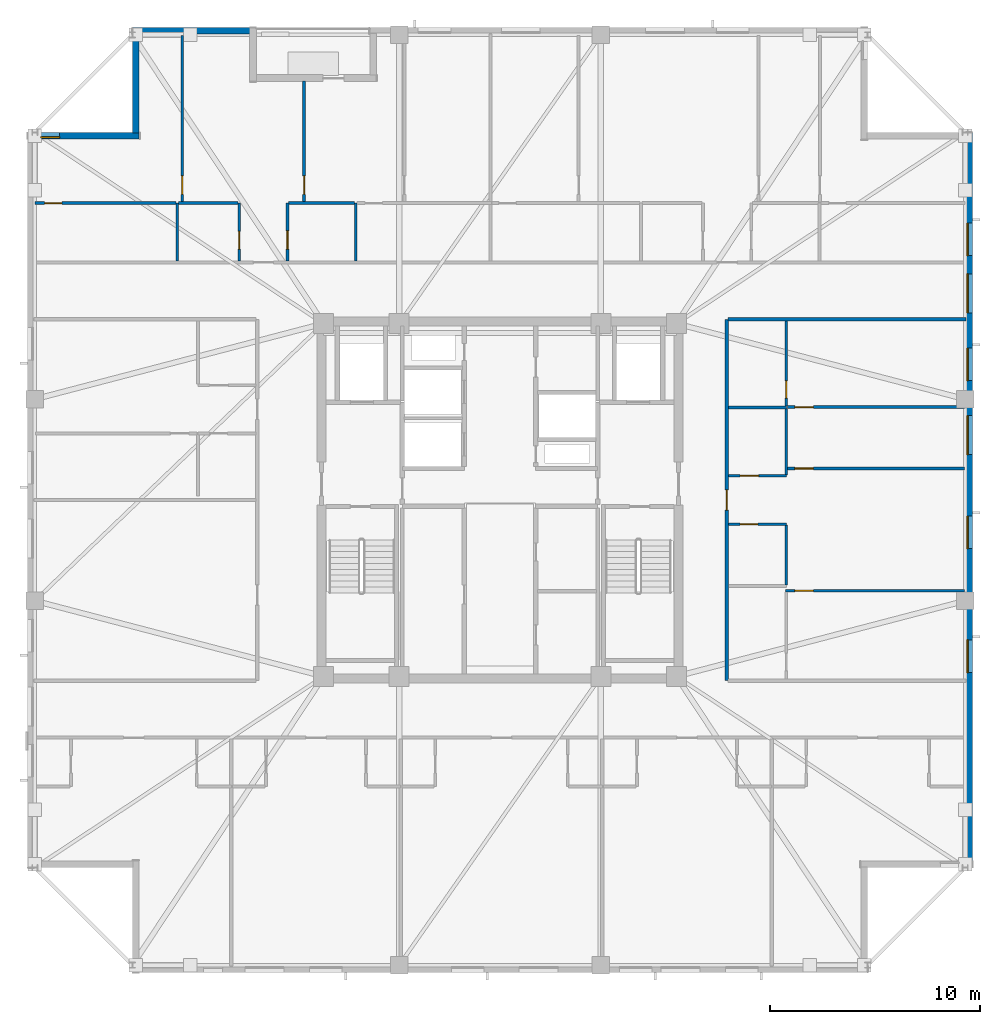
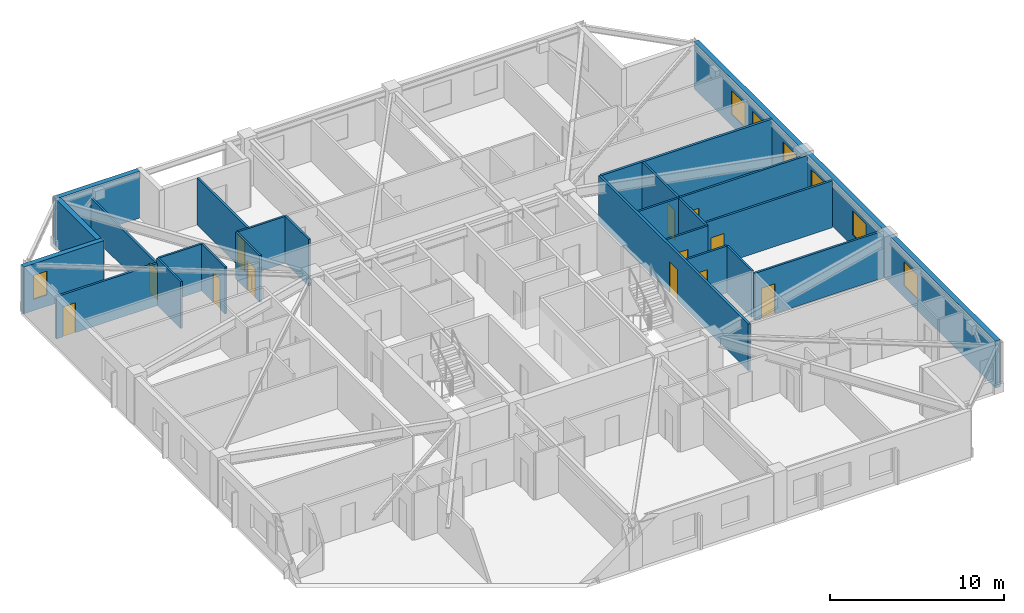
# One storey, part 10 of 17: 24 walls, 12 doors, 7 windows, 19 openings.
"""IFC4 building model written with IfcOpenShell, lengths in metres."""

import ifcopenshell
import ifcopenshell.guid

model = None  # the IFC model being written
_history = None  # IfcOwnerHistory: only IFC2X3 demands one
_inside = {}  # id of a spatial element -> (the spatial element, [elements in it])
_under = {}  # id of a project, library or spatial element -> (it, [spatial elements below it])
_declared = {}  # id of a project -> (the project, [libraries it declares])
_typed = {}  # id of a type object -> (the type object, [elements of that type])
_made_of = {}  # id of a material, layer set ... -> (it, [elements and type objects made of it])


def new_model(schema):
    """Start an empty IFC model of exactly this schema.

    Asked for "IFC4X3", IfcOpenShell would pick the latest addendum, in which some entities
    have other attributes; the version numbers below select the first issue.
    IFC2X3 requires an IfcOwnerHistory on every rooted entity: one is made here for all.
    """
    global model, _history
    if schema == "IFC4X3":
        model = ifcopenshell.file(schema_version=(4, 3, 0, 0))
    else:
        model = ifcopenshell.file(schema=schema)
    _inside.clear()
    _under.clear()
    _declared.clear()
    _typed.clear()
    _made_of.clear()
    _history = None
    if model.schema == "IFC2X3":
        org = make("IfcOrganization", Name="unknown")
        user = make(
            "IfcPersonAndOrganization",
            ThePerson=make("IfcPerson", FamilyName="unknown"),
            TheOrganization=org,
        )
        app = make(
            "IfcApplication",
            ApplicationDeveloper=org,
            Version="unknown",
            ApplicationFullName="unknown",
            ApplicationIdentifier="unknown",
        )
        _history = make(
            "IfcOwnerHistory",
            OwningUser=user,
            OwningApplication=app,
            ChangeAction="ADDED",
            CreationDate=0,
        )
    return model


def make(cls, **values):
    """One entity of the class cls with the attributes given. An attribute that is None is left unset."""
    return model.create_entity(
        cls, **{name: value for name, value in values.items() if value is not None}
    )


def rooted(cls, **values):
    """An entity with a GlobalId (a new one), such as an element, a storey or a relation."""
    return make(cls, GlobalId=ifcopenshell.guid.new(), OwnerHistory=_history, **values)


def si_unit(unit_type, name, prefix=None):
    """IfcSIUnit, for example si_unit("LENGTHUNIT", "METRE", prefix="MILLI")."""
    return make("IfcSIUnit", UnitType=unit_type, Prefix=prefix, Name=name)


def assignment(units):
    """IfcUnitAssignment: the units of a project."""
    return None if units is None else make("IfcUnitAssignment", Units=units)


def point(xyz):
    """IfcCartesianPoint."""
    return None if xyz is None else make("IfcCartesianPoint", Coordinates=xyz)


def direction(xyz):
    """IfcDirection."""
    return None if xyz is None else make("IfcDirection", DirectionRatios=xyz)


def frame(location, z_axis=None, x_axis=None):
    """IfcAxis2Placement3D, a coordinate frame: its origin and axes. An axis left out is left unset."""
    return make(
        "IfcAxis2Placement3D",
        Location=point(location),
        Axis=direction(z_axis),
        RefDirection=direction(x_axis),
    )


def frame_2d(location, x_axis=None):
    """IfcAxis2Placement2D, a coordinate frame in the plane: its origin and x axis."""
    return make(
        "IfcAxis2Placement2D", Location=point(location), RefDirection=direction(x_axis)
    )


def origin():
    """The frame at (0, 0, 0) with its axes left unset."""
    return frame((0.0, 0.0, 0.0))


def place(relative_to, where):
    """IfcLocalPlacement: puts the frame where relative to a parent placement (None: the world)."""
    return make(
        "IfcLocalPlacement", PlacementRelTo=relative_to, RelativePlacement=where
    )


def context(
    kind, dimensions, precision=None, world=None, true_north=None, identifier=None
):
    """IfcGeometricRepresentationContext, for example the 3D "Model" context."""
    return make(
        "IfcGeometricRepresentationContext",
        ContextIdentifier=identifier,
        ContextType=kind,
        CoordinateSpaceDimension=dimensions,
        Precision=precision,
        WorldCoordinateSystem=world,
        TrueNorth=true_north,
    )


def subcontext(parent, identifier, kind, view, scale=None):
    """IfcGeometricRepresentationSubContext, for example "Body" below "Model"."""
    return make(
        "IfcGeometricRepresentationSubContext",
        ContextIdentifier=identifier,
        ContextType=kind,
        ParentContext=parent,
        TargetScale=scale,
        TargetView=view,
    )


def project(units=None, contexts=None):
    """IfcProject with its units and contexts."""
    return rooted(
        "IfcProject",
        Name="project",
        RepresentationContexts=contexts,
        UnitsInContext=assignment(units),
    )


def spatial(cls, under=None, at=None, **own):
    """A site, building, storey or space (cls), placed at a placement, below another one or the project."""
    s = rooted(cls, ObjectPlacement=at, **own)
    if under is not None:
        _under.setdefault(under.id(), (under, []))[1].append(s)
    return s


def profile(cls, at=None, kind="AREA", **sizes):
    """A parametric profile (cls). Its sizes go by their IFC names, for example OverallWidth=200.0."""
    return make(cls, ProfileType=kind, Position=at, **sizes)


def rectangle(**sizes):
    """IfcRectangleProfileDef."""
    return profile("IfcRectangleProfileDef", **sizes)


def extrude(swept, where, along, depth):
    """IfcExtrudedAreaSolid: the profile swept, set in the frame where, extruded along a direction by depth."""
    return make(
        "IfcExtrudedAreaSolid",
        SweptArea=swept,
        Position=where,
        ExtrudedDirection=direction(along),
        Depth=depth,
    )


def shape(context_of_items, identifier, shape_type, items):
    """IfcShapeRepresentation: the items that make up one representation, for example the "Body"."""
    return make(
        "IfcShapeRepresentation",
        ContextOfItems=context_of_items,
        RepresentationIdentifier=identifier,
        RepresentationType=shape_type,
        Items=items,
    )


def material(Name=None, Category=None):
    """IfcMaterial."""
    return make("IfcMaterial", Name=Name, Category=Category)


def layer(
    of_material, thickness, ventilated=None, Name=None, Category=None, Priority=None
):
    """IfcMaterialLayer: one layer of a wall or slab, of a material (None: an air gap)."""
    return make(
        "IfcMaterialLayer",
        Material=of_material,
        LayerThickness=thickness,
        IsVentilated=ventilated,
        Name=Name,
        Category=Category,
        Priority=Priority,
    )


def layer_set(layers, Name=None):
    """IfcMaterialLayerSet."""
    return make("IfcMaterialLayerSet", MaterialLayers=layers, LayerSetName=Name)


def made_of(thing, what):
    """Note that an element or type object is made of a material, layer set ...; save() writes the relation."""
    if what is not None:
        _made_of.setdefault(what.id(), (what, []))[1].append(thing)
    return thing


def type_object(cls, material=None, **own):
    """A type object (cls), such as IfcWallType, which elements share."""
    return made_of(rooted(cls, **own), material)


def element(
    cls,
    number,
    at=None,
    inside=None,
    cuts=None,
    type_object=None,
    material=None,
    context=None,
    identifier="Body",
    shape_type=None,
    held_by="IfcProductDefinitionShape",
    body=None,
    shapes=None,
    **own,
):
    """One element of the class cls, such as IfcWall. Its Tag is "e" and its number.

    at: its placement. inside: the storey or other place that contains it. cuts: it is an
    opening in that element (IfcRelVoidsElement). A single representation is given by context,
    identifier, shape_type and body (its items); several are given by shapes. held_by: the class
    of the entity that holds the representations. save() writes the other relations.
    """
    e = rooted(cls, Tag="e%d" % number, ObjectPlacement=at, **own)
    if body is not None:
        shapes = [shape(context, identifier, shape_type, body)]
    if shapes is not None:
        e.Representation = make(held_by, Representations=shapes)
    if inside is not None:
        _inside.setdefault(inside.id(), (inside, []))[1].append(e)
    if cuts is not None:
        rooted(
            "IfcRelVoidsElement", RelatingBuildingElement=cuts, RelatedOpeningElement=e
        )
    if type_object is not None:
        _typed.setdefault(type_object.id(), (type_object, []))[1].append(e)
    return made_of(e, material)


def fill(opening, filler):
    """IfcRelFillsElement: the door or window that sits in an opening."""
    return rooted(
        "IfcRelFillsElement",
        RelatingOpeningElement=opening,
        RelatedBuildingElement=filler,
    )


def aggregate(whole, parts):
    """IfcRelAggregates: a whole, such as a stair, and the parts it consists of."""
    return rooted("IfcRelAggregates", RelatingObject=whole, RelatedObjects=parts)


def save(model, path):
    """Write the relations noted so far, then the file.

    IfcRelAggregates (storeys below a building ...), IfcRelContainedInSpatialStructure (elements
    in a storey), IfcRelDefinesByType, IfcRelAssociatesMaterial and IfcRelDeclares: one each for
    every whole, place, type object, material and project.
    """
    for whole, parts in _under.values():
        aggregate(whole, parts)
    for where, things in _inside.values():
        rooted(
            "IfcRelContainedInSpatialStructure",
            RelatedElements=things,
            RelatingStructure=where,
        )
    for kind, things in _typed.values():
        rooted("IfcRelDefinesByType", RelatedObjects=things, RelatingType=kind)
    for what, things in _made_of.values():
        rooted("IfcRelAssociatesMaterial", RelatedObjects=things, RelatingMaterial=what)
    for by, libraries in _declared.values():
        rooted("IfcRelDeclares", RelatingContext=by, RelatedDefinitions=libraries)
    model.write(path)


model = new_model("IFC4")

# Units and contexts
model_context = context("Model", 3, precision=1e-05, world=origin(), true_north=direction((0.0, 1.0)))
body_context = subcontext(model_context, "Body", "Model", "MODEL_VIEW")
ifc_project = project(units=[si_unit("LENGTHUNIT", "METRE"), si_unit("AREAUNIT", "SQUARE_METRE"), si_unit("VOLUMEUNIT", "CUBIC_METRE"), si_unit("PLANEANGLEUNIT", "RADIAN"), si_unit("MASSUNIT", "GRAM", prefix="KILO")], contexts=[model_context])

# Site, building, storey
site_placement = place(None, origin())
site = spatial("IfcSite", under=ifc_project, at=site_placement, CompositionType="ELEMENT")
building_placement = place(site_placement, origin())
building = spatial("IfcBuilding", under=site, at=building_placement, Name="Cairnveth Concourse Tower", CompositionType="ELEMENT")
storey_placement = place(building_placement, frame((0.0, 0.0, 220.0)))
storey = spatial("IfcBuildingStorey", under=building, at=storey_placement, Name="L60", CompositionType="ELEMENT", Elevation=220.0)

# Wall, opening, door
ifc_material_1 = material(Name="Gypsum Plasterboard Partition", Category="gypsum")
ifc_layer_1 = layer(ifc_material_1, 0.159912109375)
ifc_layer_set_1 = layer_set([ifc_layer_1], Name="Gypsum Plasterboard Partition")
wall_type_1 = type_object("IfcWallType", Name="ACOUSTIC PARTY WALL 180", PredefinedType="PARTITIONING", material=ifc_layer_set_1)
wall_1_placement = place(storey_placement, frame((62.800048828125, 30.39990234375, 0.0), z_axis=(0.0, 0.0, 1.0), x_axis=(0.0, 1.0, 0.0)))
wall_1 = element("IfcWall", 1, at=wall_1_placement, inside=storey, type_object=wall_type_1, Name="Interior Wall IW-L60-037", PredefinedType="PARTITIONING", context=body_context, shape_type="SweptSolid", body=[
    extrude(rectangle(XDim=17.2001953125, YDim=0.159912109375, at=frame_2d((8.60009765625, 0.0))), origin(), (0.0, 0.0, 1.0), 3.2900390625),
])
opening_1_placement = place(wall_1_placement, frame((8.1201171875, 0.0, 0.0)))
opening_1 = element("IfcOpeningElement", 2, at=opening_1_placement, cuts=wall_1, Name="Opening ID10", PredefinedType="OPENING", context=body_context, shape_type="SweptSolid", body=[
    extrude(rectangle(XDim=0.9599609375, YDim=2.179931640625, at=frame_2d((0.47998046875, 1.08984375))), frame((0.0, 0.08984375, 0.0), z_axis=(0.0, -1.0, 0.0), x_axis=(1.0, 0.0, 0.0)), (0.0, 0.0, 1.0), 0.179931640625),
])
ifc_material_2 = material(Name="Solid Core Hardwood Timber Leaf", Category="wood")
door_type_1 = type_object("IfcDoorType", Name="FLAT ENTRANCE DOOR 960X2150", OperationType="NOTDEFINED", PredefinedType="DOOR", material=ifc_material_2)
door_1_placement = place(opening_1_placement, origin())
door_1 = element("IfcDoor", 3, at=door_1_placement, inside=storey, type_object=door_type_1, Name="Apartment L60E1 Entrance Door", OperationType="SINGLE_SWING_RIGHT", OverallHeight=2.179931640625, OverallWidth=0.9599609375, PredefinedType="DOOR", context=body_context, shape_type="SweptSolid", body=[
    extrude(rectangle(XDim=0.9599609375, YDim=2.179931640625, at=frame_2d((0.47998046875, 1.08984375))), frame((0.0, 0.02490234375, 0.0), z_axis=(0.0, -1.0, 0.0), x_axis=(1.0, 0.0, 0.0)), (0.0, 0.0, 1.0), 0.050048828125),
])
fill(opening_1, door_1)

# Wall
wall_2_placement = place(storey_placement, frame((62.864990234375, 47.60009765625, 0.0), z_axis=(0.0, 0.0, 1.0), x_axis=(1.0, 0.0, 0.0)))
element("IfcWall", 4, at=wall_2_placement, inside=storey, type_object=wall_type_1, Name="Interior Wall IW-L60-041", PredefinedType="PARTITIONING", context=body_context, shape_type="SweptSolid", body=[
    extrude(rectangle(XDim=11.330078125, YDim=0.159912109375, at=frame_2d((5.6650390625, 0.0))), origin(), (0.0, 0.0, 1.0), 3.2900390625),
])

# Wall, opening, door
ifc_layer_2 = layer(ifc_material_1, 0.139892578125)
ifc_layer_set_2 = layer_set([ifc_layer_2], Name="Gypsum Plasterboard Partition")
wall_type_2 = type_object("IfcWallType", Name="GYPSUM STUD PARTITION 140", PredefinedType="PARTITIONING", material=ifc_layer_set_2)
wall_3_placement = place(storey_placement, frame((36.8701171875, 53.18994140625, 0.0), z_axis=(0.0, 0.0, 1.0), x_axis=(0.0, 1.0, 0.0)))
wall_3 = element("IfcWall", 5, at=wall_3_placement, inside=storey, type_object=wall_type_2, Name="Interior Wall IW-L60-072", PredefinedType="PARTITIONING", context=body_context, shape_type="SweptSolid", body=[
    extrude(rectangle(XDim=7.93017578125, YDim=0.139892578125, at=frame_2d((3.965087890625, 0.0))), origin(), (0.0, 0.0, 1.0), 2.572998046875),
])
opening_2_placement = place(wall_3_placement, frame((0.360107421875, 0.0, 0.0)))
opening_2 = element("IfcOpeningElement", 6, at=opening_2_placement, cuts=wall_3, Name="Opening ID18", PredefinedType="OPENING", context=body_context, shape_type="SweptSolid", body=[
    extrude(rectangle(XDim=0.8798828125, YDim=2.10009765625, at=frame_2d((0.43994140625, 1.050048828125))), frame((0.0, 0.079833984375, 0.0), z_axis=(0.0, -1.0, 0.0), x_axis=(1.0, 0.0, 0.0)), (0.0, 0.0, 1.0), 0.159912109375),
])
door_type_2 = type_object("IfcDoorType", Name="INTERIOR SINGLE DOOR 880X2100", OperationType="NOTDEFINED", PredefinedType="DOOR", material=ifc_material_2)
door_2_placement = place(opening_2_placement, origin())
door_2 = element("IfcDoor", 7, at=door_2_placement, inside=storey, type_object=door_type_2, Name="L60N1 Master Bedroom Door", OperationType="SINGLE_SWING_LEFT", OverallHeight=2.10009765625, OverallWidth=0.8798828125, PredefinedType="DOOR", context=body_context, shape_type="SweptSolid", body=[
    extrude(rectangle(XDim=0.8798828125, YDim=2.10009765625, at=frame_2d((0.43994140625, 1.050048828125))), frame((0.0, 0.02490234375, 0.0), z_axis=(0.0, -1.0, 0.0), x_axis=(1.0, 0.0, 0.0)), (0.0, 0.0, 1.0), 0.050048828125),
])
fill(opening_2, door_2)

wall_4_placement = place(storey_placement, frame((29.8701171875, 53.139892578125, 0.0), z_axis=(0.0, 0.0, 1.0), x_axis=(1.0, 0.0, 0.0)))
wall_4 = element("IfcWall", 8, at=wall_4_placement, inside=storey, type_object=wall_type_2, Name="Interior Wall IW-L60-073", PredefinedType="PARTITIONING", context=body_context, shape_type="SweptSolid", body=[
    extrude(rectangle(XDim=6.71240234375, YDim=0.139892578125, at=frame_2d((3.356201171875, 0.0))), origin(), (0.0, 0.0, 1.0), 2.9580078125),
])
opening_3_placement = place(wall_4_placement, frame((0.449951171875, 0.0, 0.0)))
opening_3 = element("IfcOpeningElement", 9, at=opening_3_placement, cuts=wall_4, Name="Opening ID22", PredefinedType="OPENING", context=body_context, shape_type="SweptSolid", body=[
    extrude(rectangle(XDim=0.820068359375, YDim=2.10009765625, at=frame_2d((0.41015625, 1.050048828125))), frame((0.0, 0.079833984375, 0.0), z_axis=(0.0, -1.0, 0.0), x_axis=(1.0, 0.0, 0.0)), (0.0, 0.0, 1.0), 0.159912109375),
])
door_type_3 = type_object("IfcDoorType", Name="INTERIOR WC DOOR 820X2100", OperationType="NOTDEFINED", PredefinedType="DOOR", material=ifc_material_2)
door_3_placement = place(opening_3_placement, origin())
door_3 = element("IfcDoor", 10, at=door_3_placement, inside=storey, type_object=door_type_3, Name="L60N1 Dressing Door", OperationType="SINGLE_SWING_RIGHT", OverallHeight=2.10009765625, OverallWidth=0.820068359375, PredefinedType="DOOR", context=body_context, shape_type="SweptSolid", body=[
    extrude(rectangle(XDim=0.820068359375, YDim=2.10009765625, at=frame_2d((0.41015625, 1.050048828125))), frame((0.0, 0.02490234375, 0.0), z_axis=(0.0, -1.0, 0.0), x_axis=(1.0, 0.0, 0.0)), (0.0, 0.0, 1.0), 0.050048828125),
])
fill(opening_3, door_3)

wall_5_placement = place(storey_placement, frame((42.669921875, 53.18994140625, 0.0), z_axis=(0.0, 0.0, 1.0), x_axis=(0.0, 1.0, 0.0)))
wall_5 = element("IfcWall", 11, at=wall_5_placement, inside=storey, type_object=wall_type_2, Name="Interior Wall IW-L60-076", PredefinedType="PARTITIONING", context=body_context, shape_type="SweptSolid", body=[
    extrude(rectangle(XDim=5.755126953125, YDim=0.139892578125, at=frame_2d((2.87744140625, 0.0))), origin(), (0.0, 0.0, 1.0), 3.2900390625),
])
opening_4_placement = place(wall_5_placement, frame((0.360107421875, 0.0, 0.0)))
opening_4 = element("IfcOpeningElement", 12, at=opening_4_placement, cuts=wall_5, Name="Opening ID18", PredefinedType="OPENING", context=body_context, shape_type="SweptSolid", body=[
    extrude(rectangle(XDim=0.8798828125, YDim=2.10009765625, at=frame_2d((0.43994140625, 1.050048828125))), frame((0.0, 0.079833984375, 0.0), z_axis=(0.0, -1.0, 0.0), x_axis=(1.0, 0.0, 0.0)), (0.0, 0.0, 1.0), 0.159912109375),
])
door_4_placement = place(opening_4_placement, origin())
door_4 = element("IfcDoor", 13, at=door_4_placement, inside=storey, type_object=door_type_2, Name="L60N1 Media Lounge Door", OperationType="SINGLE_SWING_RIGHT", OverallHeight=2.10009765625, OverallWidth=0.8798828125, PredefinedType="DOOR", context=body_context, shape_type="SweptSolid", body=[
    extrude(rectangle(XDim=0.8798828125, YDim=2.10009765625, at=frame_2d((0.43994140625, 1.050048828125))), frame((0.0, 0.02490234375, 0.0), z_axis=(0.0, -1.0, 0.0), x_axis=(1.0, 0.0, 0.0)), (0.0, 0.0, 1.0), 0.050048828125),
])
fill(opening_4, door_4)

wall_6_placement = place(storey_placement, frame((65.590087890625, 34.679931640625, 0.0), z_axis=(0.0, 0.0, 1.0), x_axis=(1.0, 0.0, 0.0)))
wall_6 = element("IfcWall", 14, at=wall_6_placement, inside=storey, type_object=wall_type_2, Name="Interior Wall IW-L60-101", PredefinedType="PARTITIONING", context=body_context, shape_type="SweptSolid", body=[
    extrude(rectangle(XDim=8.530029296875, YDim=0.139892578125, at=frame_2d((4.26513671875, 0.0))), origin(), (0.0, 0.0, 1.0), 3.2900390625),
])
opening_5_placement = place(wall_6_placement, frame((0.449951171875, 0.0, 0.0)))
opening_5 = element("IfcOpeningElement", 15, at=opening_5_placement, cuts=wall_6, Name="Opening ID18", PredefinedType="OPENING", context=body_context, shape_type="SweptSolid", body=[
    extrude(rectangle(XDim=0.8798828125, YDim=2.10009765625, at=frame_2d((0.43994140625, 1.050048828125))), frame((0.0, 0.079833984375, 0.0), z_axis=(0.0, -1.0, 0.0), x_axis=(1.0, 0.0, 0.0)), (0.0, 0.0, 1.0), 0.159912109375),
])
door_5_placement = place(opening_5_placement, origin())
door_5 = element("IfcDoor", 16, at=door_5_placement, inside=storey, type_object=door_type_2, Name="L60E1 Master Bedroom Door", OperationType="SINGLE_SWING_RIGHT", OverallHeight=2.10009765625, OverallWidth=0.8798828125, PredefinedType="DOOR", context=body_context, shape_type="SweptSolid", body=[
    extrude(rectangle(XDim=0.8798828125, YDim=2.10009765625, at=frame_2d((0.43994140625, 1.050048828125))), frame((0.0, 0.02490234375, 0.0), z_axis=(0.0, -1.0, 0.0), x_axis=(1.0, 0.0, 0.0)), (0.0, 0.0, 1.0), 0.050048828125),
])
fill(opening_5, door_5)

wall_7_placement = place(storey_placement, frame((65.679931640625, 43.419921875, 0.0), z_axis=(0.0, 0.0, 1.0), x_axis=(1.0, 0.0, 0.0)))
wall_7 = element("IfcWall", 17, at=wall_7_placement, inside=storey, type_object=wall_type_2, Name="Interior Wall IW-L60-103", PredefinedType="PARTITIONING", context=body_context, shape_type="SweptSolid", body=[
    extrude(rectangle(XDim=8.440185546875, YDim=0.139892578125, at=frame_2d((4.22021484375, 0.0))), origin(), (0.0, 0.0, 1.0), 3.2900390625),
])
opening_6_placement = place(wall_7_placement, frame((0.360107421875, 0.0, 0.0)))
opening_6 = element("IfcOpeningElement", 18, at=opening_6_placement, cuts=wall_7, Name="Opening ID18", PredefinedType="OPENING", context=body_context, shape_type="SweptSolid", body=[
    extrude(rectangle(XDim=0.8798828125, YDim=2.10009765625, at=frame_2d((0.43994140625, 1.050048828125))), frame((0.0, 0.079833984375, 0.0), z_axis=(0.0, -1.0, 0.0), x_axis=(1.0, 0.0, 0.0)), (0.0, 0.0, 1.0), 0.159912109375),
])
door_6_placement = place(opening_6_placement, origin())
door_6 = element("IfcDoor", 19, at=door_6_placement, inside=storey, type_object=door_type_2, Name="L60E1 Bedroom 2 Door", OperationType="SINGLE_SWING_RIGHT", OverallHeight=2.10009765625, OverallWidth=0.8798828125, PredefinedType="DOOR", context=body_context, shape_type="SweptSolid", body=[
    extrude(rectangle(XDim=0.8798828125, YDim=2.10009765625, at=frame_2d((0.43994140625, 1.050048828125))), frame((0.0, 0.02490234375, 0.0), z_axis=(0.0, -1.0, 0.0), x_axis=(1.0, 0.0, 0.0)), (0.0, 0.0, 1.0), 0.050048828125),
])
fill(opening_6, door_6)

wall_8_placement = place(storey_placement, frame((65.6298828125, 43.47509765625, 0.0), z_axis=(0.0, 0.0, 1.0), x_axis=(0.0, 1.0, 0.0)))
wall_8 = element("IfcWall", 20, at=wall_8_placement, inside=storey, type_object=wall_type_2, Name="Interior Wall IW-L60-104", PredefinedType="PARTITIONING", context=body_context, shape_type="SweptSolid", body=[
    extrude(rectangle(XDim=4.059814453125, YDim=0.139892578125, at=frame_2d((2.02978515625, 0.0))), origin(), (0.0, 0.0, 1.0), 3.2900390625),
])
opening_7_placement = place(wall_8_placement, frame((0.375, 0.0, 0.0)))
opening_7 = element("IfcOpeningElement", 21, at=opening_7_placement, cuts=wall_8, Name="Opening ID22", PredefinedType="OPENING", context=body_context, shape_type="SweptSolid", body=[
    extrude(rectangle(XDim=0.820068359375, YDim=2.10009765625, at=frame_2d((0.41015625, 1.050048828125))), frame((0.0, 0.079833984375, 0.0), z_axis=(0.0, -1.0, 0.0), x_axis=(1.0, 0.0, 0.0)), (0.0, 0.0, 1.0), 0.159912109375),
])
door_7_placement = place(opening_7_placement, origin())
door_7 = element("IfcDoor", 22, at=door_7_placement, inside=storey, type_object=door_type_3, Name="L60E1 Utility Door", OperationType="SINGLE_SWING_LEFT", OverallHeight=2.10009765625, OverallWidth=0.820068359375, PredefinedType="DOOR", context=body_context, shape_type="SweptSolid", body=[
    extrude(rectangle(XDim=0.820068359375, YDim=2.10009765625, at=frame_2d((0.41015625, 1.050048828125))), frame((0.0, 0.02490234375, 0.0), z_axis=(0.0, -1.0, 0.0), x_axis=(1.0, 0.0, 0.0)), (0.0, 0.0, 1.0), 0.050048828125),
])
fill(opening_7, door_7)

wall_9_placement = place(storey_placement, frame((65.679931640625, 40.5, 0.0), z_axis=(0.0, 0.0, 1.0), x_axis=(1.0, 0.0, 0.0)))
wall_9 = element("IfcWall", 23, at=wall_9_placement, inside=storey, type_object=wall_type_2, Name="Interior Wall IW-L60-105", PredefinedType="PARTITIONING", context=body_context, shape_type="SweptSolid", body=[
    extrude(rectangle(XDim=8.440185546875, YDim=0.139892578125, at=frame_2d((4.22021484375, 0.0))), origin(), (0.0, 0.0, 1.0), 3.2900390625),
])
opening_8_placement = place(wall_9_placement, frame((0.360107421875, 0.0, 0.0)))
opening_8 = element("IfcOpeningElement", 24, at=opening_8_placement, cuts=wall_9, Name="Opening ID18", PredefinedType="OPENING", context=body_context, shape_type="SweptSolid", body=[
    extrude(rectangle(XDim=0.8798828125, YDim=2.10009765625, at=frame_2d((0.43994140625, 1.050048828125))), frame((0.0, 0.079833984375, 0.0), z_axis=(0.0, -1.0, 0.0), x_axis=(1.0, 0.0, 0.0)), (0.0, 0.0, 1.0), 0.159912109375),
])
door_8_placement = place(opening_8_placement, origin())
door_8 = element("IfcDoor", 25, at=door_8_placement, inside=storey, type_object=door_type_2, Name="L60E1 Media Lounge Door", OperationType="SINGLE_SWING_LEFT", OverallHeight=2.10009765625, OverallWidth=0.8798828125, PredefinedType="DOOR", context=body_context, shape_type="SweptSolid", body=[
    extrude(rectangle(XDim=0.8798828125, YDim=2.10009765625, at=frame_2d((0.43994140625, 1.050048828125))), frame((0.0, 0.02490234375, 0.0), z_axis=(0.0, -1.0, 0.0), x_axis=(1.0, 0.0, 0.0)), (0.0, 0.0, 1.0), 0.050048828125),
])
fill(opening_8, door_8)

# Wall
ifc_layer_3 = layer(ifc_material_1, 0.1298828125)
ifc_layer_set_3 = layer_set([ifc_layer_3], Name="Gypsum Plasterboard Partition")
wall_type_3 = type_object("IfcWallType", Name="WET AREA PARTITION 140", PredefinedType="PLUMBINGWALL", material=ifc_layer_set_3)
wall_10_placement = place(storey_placement, frame((36.632568359375, 50.389892578125, 0.0), z_axis=(0.0, 0.0, 1.0), x_axis=(0.0, 1.0, 0.0)))
element("IfcWall", 26, at=wall_10_placement, inside=storey, type_object=wall_type_3, Name="Interior Wall IW-L60-066", PredefinedType="PLUMBINGWALL", context=body_context, shape_type="SweptSolid", body=[
    extrude(rectangle(XDim=2.75, YDim=0.1298828125, at=frame_2d((1.375, 0.0))), origin(), (0.0, 0.0, 1.0), 3.2900390625),
])

# Wall, opening, door
wall_11_placement = place(storey_placement, frame((39.58251953125, 50.389892578125, 0.0), z_axis=(0.0, 0.0, 1.0), x_axis=(0.0, 1.0, 0.0)))
wall_11 = element("IfcWall", 27, at=wall_11_placement, inside=storey, type_object=wall_type_3, Name="Interior Wall IW-L60-067", PredefinedType="PLUMBINGWALL", context=body_context, shape_type="SweptSolid", body=[
    extrude(rectangle(XDim=2.75, YDim=0.1298828125, at=frame_2d((1.375, 0.0))), origin(), (0.0, 0.0, 1.0), 3.2900390625),
])
opening_9_placement = place(wall_11_placement, frame((0.550048828125, 0.0, 0.0)))
opening_9 = element("IfcOpeningElement", 28, at=opening_9_placement, cuts=wall_11, Name="Opening ID21", PredefinedType="OPENING", context=body_context, shape_type="SweptSolid", body=[
    extrude(rectangle(XDim=0.85009765625, YDim=2.080078125, at=frame_2d((0.425048828125, 1.0400390625))), frame((0.0, 0.074951171875, 0.0), z_axis=(0.0, -1.0, 0.0), x_axis=(1.0, 0.0, 0.0)), (0.0, 0.0, 1.0), 0.14990234375),
])
door_type_4 = type_object("IfcDoorType", Name="INTERIOR WC DOOR 850X2100", OperationType="NOTDEFINED", PredefinedType="DOOR", material=ifc_material_2)
door_9_placement = place(opening_9_placement, origin())
door_9 = element("IfcDoor", 29, at=door_9_placement, inside=storey, type_object=door_type_4, Name="L60N1 Bathroom Door", OperationType="SINGLE_SWING_RIGHT", OverallHeight=2.080078125, OverallWidth=0.85009765625, PredefinedType="DOOR", context=body_context, shape_type="SweptSolid", body=[
    extrude(rectangle(XDim=0.85009765625, YDim=2.080078125, at=frame_2d((0.425048828125, 1.0400390625))), frame((0.0, 0.02490234375, 0.0), z_axis=(0.0, -1.0, 0.0), x_axis=(1.0, 0.0, 0.0)), (0.0, 0.0, 1.0), 0.050048828125),
])
fill(opening_9, door_9)

# Walls
wall_12_placement = place(storey_placement, frame((36.6826171875, 53.139892578125, 0.0), z_axis=(0.0, 0.0, 1.0), x_axis=(1.0, 0.0, 0.0)))
element("IfcWall", 30, at=wall_12_placement, inside=storey, type_object=wall_type_3, Name="Interior Wall IW-L60-068", PredefinedType="PLUMBINGWALL", context=body_context, shape_type="SweptSolid", body=[
    extrude(rectangle(XDim=2.849853515625, YDim=0.1298828125, at=frame_2d((1.4248046875, 0.0))), origin(), (0.0, 0.0, 1.0), 3.2900390625),
])
wall_13_placement = place(storey_placement, frame((45.132568359375, 50.389892578125, 0.0), z_axis=(0.0, 0.0, 1.0), x_axis=(0.0, 1.0, 0.0)))
element("IfcWall", 31, at=wall_13_placement, inside=storey, type_object=wall_type_3, Name="Interior Wall IW-L60-069", PredefinedType="PLUMBINGWALL", context=body_context, shape_type="SweptSolid", body=[
    extrude(rectangle(XDim=2.75, YDim=0.1298828125, at=frame_2d((1.375, 0.0))), origin(), (0.0, 0.0, 1.0), 3.2900390625),
])

# Wall, opening, door
wall_14_placement = place(storey_placement, frame((41.882568359375, 50.389892578125, 0.0), z_axis=(0.0, 0.0, 1.0), x_axis=(0.0, 1.0, 0.0)))
wall_14 = element("IfcWall", 32, at=wall_14_placement, inside=storey, type_object=wall_type_3, Name="Interior Wall IW-L60-070", PredefinedType="PLUMBINGWALL", context=body_context, shape_type="SweptSolid", body=[
    extrude(rectangle(XDim=2.75, YDim=0.1298828125, at=frame_2d((1.375, 0.0))), origin(), (0.0, 0.0, 1.0), 3.2900390625),
])
opening_10_placement = place(wall_14_placement, frame((0.550048828125, 0.0, 0.0)))
opening_10 = element("IfcOpeningElement", 33, at=opening_10_placement, cuts=wall_14, Name="Opening ID18", PredefinedType="OPENING", context=body_context, shape_type="SweptSolid", body=[
    extrude(rectangle(XDim=0.8798828125, YDim=2.10009765625, at=frame_2d((0.43994140625, 1.050048828125))), frame((0.0, 0.074951171875, 0.0), z_axis=(0.0, -1.0, 0.0), x_axis=(1.0, 0.0, 0.0)), (0.0, 0.0, 1.0), 0.14990234375),
])
door_10_placement = place(opening_10_placement, origin())
door_10 = element("IfcDoor", 34, at=door_10_placement, inside=storey, type_object=door_type_2, Name="L60N1 Kitchen Door", OperationType="SINGLE_SWING_LEFT", OverallHeight=2.10009765625, OverallWidth=0.8798828125, PredefinedType="DOOR", context=body_context, shape_type="SweptSolid", body=[
    extrude(rectangle(XDim=0.8798828125, YDim=2.10009765625, at=frame_2d((0.43994140625, 1.050048828125))), frame((0.0, 0.02490234375, 0.0), z_axis=(0.0, -1.0, 0.0), x_axis=(1.0, 0.0, 0.0)), (0.0, 0.0, 1.0), 0.050048828125),
])
fill(opening_10, door_10)

# Wall
wall_15_placement = place(storey_placement, frame((41.9326171875, 53.139892578125, 0.0), z_axis=(0.0, 0.0, 1.0), x_axis=(1.0, 0.0, 0.0)))
element("IfcWall", 35, at=wall_15_placement, inside=storey, type_object=wall_type_3, Name="Interior Wall IW-L60-071", PredefinedType="PLUMBINGWALL", context=body_context, shape_type="SweptSolid", body=[
    extrude(rectangle(XDim=3.14990234375, YDim=0.1298828125, at=frame_2d((1.574951171875, 0.0))), origin(), (0.0, 0.0, 1.0), 3.2900390625),
])

# Wall, opening, door
wall_16_placement = place(storey_placement, frame((62.8798828125, 37.85009765625, 0.0), z_axis=(0.0, 0.0, 1.0), x_axis=(1.0, 0.0, 0.0)))
wall_16 = element("IfcWall", 36, at=wall_16_placement, inside=storey, type_object=wall_type_3, Name="Interior Wall IW-L60-096", PredefinedType="PLUMBINGWALL", context=body_context, shape_type="SweptSolid", body=[
    extrude(rectangle(XDim=2.75, YDim=0.1298828125, at=frame_2d((1.375, 0.0))), origin(), (0.0, 0.0, 1.0), 3.2900390625),
])
opening_11_placement = place(wall_16_placement, frame((0.550048828125, 0.0, 0.0)))
opening_11 = element("IfcOpeningElement", 37, at=opening_11_placement, cuts=wall_16, Name="Opening ID21", PredefinedType="OPENING", context=body_context, shape_type="SweptSolid", body=[
    extrude(rectangle(XDim=0.85009765625, YDim=2.080078125, at=frame_2d((0.425048828125, 1.0400390625))), frame((0.0, 0.074951171875, 0.0), z_axis=(0.0, -1.0, 0.0), x_axis=(1.0, 0.0, 0.0)), (0.0, 0.0, 1.0), 0.14990234375),
])
door_11_placement = place(opening_11_placement, origin())
door_11 = element("IfcDoor", 38, at=door_11_placement, inside=storey, type_object=door_type_4, Name="L60E1 Bathroom Door", OperationType="SINGLE_SWING_LEFT", OverallHeight=2.080078125, OverallWidth=0.85009765625, PredefinedType="DOOR", context=body_context, shape_type="SweptSolid", body=[
    extrude(rectangle(XDim=0.85009765625, YDim=2.080078125, at=frame_2d((0.425048828125, 1.0400390625))), frame((0.0, 0.02490234375, 0.0), z_axis=(0.0, -1.0, 0.0), x_axis=(1.0, 0.0, 0.0)), (0.0, 0.0, 1.0), 0.050048828125),
])
fill(opening_11, door_11)

# Walls
wall_17_placement = place(storey_placement, frame((65.6298828125, 34.949951171875, 0.0), z_axis=(0.0, 0.0, 1.0), x_axis=(0.0, 1.0, 0.0)))
element("IfcWall", 39, at=wall_17_placement, inside=storey, type_object=wall_type_3, Name="Interior Wall IW-L60-097", PredefinedType="PLUMBINGWALL", context=body_context, shape_type="SweptSolid", body=[
    extrude(rectangle(XDim=2.85009765625, YDim=0.1298828125, at=frame_2d((1.425048828125, 0.0))), origin(), (0.0, 0.0, 1.0), 3.2900390625),
])
wall_18_placement = place(storey_placement, frame((62.8798828125, 43.39990234375, 0.0), z_axis=(0.0, 0.0, 1.0), x_axis=(1.0, 0.0, 0.0)))
element("IfcWall", 40, at=wall_18_placement, inside=storey, type_object=wall_type_3, Name="Interior Wall IW-L60-098", PredefinedType="PLUMBINGWALL", context=body_context, shape_type="SweptSolid", body=[
    extrude(rectangle(XDim=2.75, YDim=0.1298828125, at=frame_2d((1.375, 0.0))), origin(), (0.0, 0.0, 1.0), 3.2900390625),
])

# Wall, opening, door
wall_19_placement = place(storey_placement, frame((62.8798828125, 40.14990234375, 0.0), z_axis=(0.0, 0.0, 1.0), x_axis=(1.0, 0.0, 0.0)))
wall_19 = element("IfcWall", 41, at=wall_19_placement, inside=storey, type_object=wall_type_3, Name="Interior Wall IW-L60-099", PredefinedType="PLUMBINGWALL", context=body_context, shape_type="SweptSolid", body=[
    extrude(rectangle(XDim=2.75, YDim=0.1298828125, at=frame_2d((1.375, 0.0))), origin(), (0.0, 0.0, 1.0), 3.2900390625),
])
opening_12_placement = place(wall_19_placement, frame((0.550048828125, 0.0, 0.0)))
opening_12 = element("IfcOpeningElement", 42, at=opening_12_placement, cuts=wall_19, Name="Opening ID18", PredefinedType="OPENING", context=body_context, shape_type="SweptSolid", body=[
    extrude(rectangle(XDim=0.8798828125, YDim=2.10009765625, at=frame_2d((0.43994140625, 1.050048828125))), frame((0.0, 0.074951171875, 0.0), z_axis=(0.0, -1.0, 0.0), x_axis=(1.0, 0.0, 0.0)), (0.0, 0.0, 1.0), 0.14990234375),
])
door_12_placement = place(opening_12_placement, origin())
door_12 = element("IfcDoor", 43, at=door_12_placement, inside=storey, type_object=door_type_2, Name="L60E1 Kitchen Door", OperationType="SINGLE_SWING_RIGHT", OverallHeight=2.10009765625, OverallWidth=0.8798828125, PredefinedType="DOOR", context=body_context, shape_type="SweptSolid", body=[
    extrude(rectangle(XDim=0.8798828125, YDim=2.10009765625, at=frame_2d((0.43994140625, 1.050048828125))), frame((0.0, 0.02490234375, 0.0), z_axis=(0.0, -1.0, 0.0), x_axis=(1.0, 0.0, 0.0)), (0.0, 0.0, 1.0), 0.050048828125),
])
fill(opening_12, door_12)

# Wall
wall_20_placement = place(storey_placement, frame((65.6298828125, 40.199951171875, 0.0), z_axis=(0.0, 0.0, 1.0), x_axis=(0.0, 1.0, 0.0)))
element("IfcWall", 44, at=wall_20_placement, inside=storey, type_object=wall_type_3, Name="Interior Wall IW-L60-100", PredefinedType="PLUMBINGWALL", context=body_context, shape_type="SweptSolid", body=[
    extrude(rectangle(XDim=3.150146484375, YDim=0.1298828125, at=frame_2d((1.5751953125, 0.0))), origin(), (0.0, 0.0, 1.0), 3.2900390625),
])

# Wall, openings, windows
ifc_material_3 = material(Name="Melbourne Buff Fired Clay Brick Masonry", Category="masonry")
ifc_layer_4 = layer(ifc_material_3, 0.320068359375)
ifc_layer_set_4 = layer_set([ifc_layer_4], Name="Melbourne Buff Fired Clay Brick Masonry")
wall_type_4 = type_object("IfcWallType", Name="ZONE 3 BRICK PIER SPANDREL WALL 320", PredefinedType="SOLIDWALL", material=ifc_layer_set_4)
wall_21_placement = place(storey_placement, frame((74.340087890625, 56.5, 0.0), z_axis=(0.0, 0.0, 1.0), x_axis=(0.0, -1.0, 0.0)))
wall_21 = element("IfcWall", 45, at=wall_21_placement, inside=storey, type_object=wall_type_4, Name="Exterior Wall EW-L60-S03", PredefinedType="SOLIDWALL", context=body_context, shape_type="SweptSolid", body=[
    extrude(rectangle(XDim=34.701904296875, YDim=0.320068359375, at=frame_2d((17.35107421875, 0.0))), origin(), (0.0, 0.0, 1.0), 3.2900390625),
])
opening_13_placement = place(wall_21_placement, frame((4.3125, 0.0, 0.800048828125)))
opening_13 = element("IfcOpeningElement", 46, at=opening_13_placement, cuts=wall_21, Name="Opening W07", PredefinedType="OPENING", context=body_context, shape_type="SweptSolid", body=[
    extrude(rectangle(XDim=1.550048828125, YDim=1.677978515625, at=frame_2d((0.77490234375, 0.8388671875))), frame((0.0, 0.169921875, 0.0), z_axis=(0.0, -1.0, 0.0), x_axis=(1.0, 0.0, 0.0)), (0.0, 0.0, 1.0), 0.340087890625),
])
opening_14_placement = place(wall_21_placement, frame((6.73779296875, 0.0, 0.800048828125)))
opening_14 = element("IfcOpeningElement", 47, at=opening_14_placement, cuts=wall_21, Name="Opening W08", PredefinedType="OPENING", context=body_context, shape_type="SweptSolid", body=[
    extrude(rectangle(XDim=1.85009765625, YDim=1.677978515625, at=frame_2d((0.925048828125, 0.8388671875))), frame((0.0, 0.169921875, 0.0), z_axis=(0.0, -1.0, 0.0), x_axis=(1.0, 0.0, 0.0)), (0.0, 0.0, 1.0), 0.340087890625),
])
opening_15_placement = place(wall_21_placement, frame((10.26318359375, 0.0, 0.800048828125)))
opening_15 = element("IfcOpeningElement", 48, at=opening_15_placement, cuts=wall_21, Name="Opening W07", PredefinedType="OPENING", context=body_context, shape_type="SweptSolid", body=[
    extrude(rectangle(XDim=1.550048828125, YDim=1.677978515625, at=frame_2d((0.77490234375, 0.8388671875))), frame((0.0, 0.169921875, 0.0), z_axis=(0.0, -1.0, 0.0), x_axis=(1.0, 0.0, 0.0)), (0.0, 0.0, 1.0), 0.340087890625),
])
opening_16_placement = place(wall_21_placement, frame((13.48828125, 0.0, 0.800048828125)))
opening_16 = element("IfcOpeningElement", 49, at=opening_16_placement, cuts=wall_21, Name="Opening W08", PredefinedType="OPENING", context=body_context, shape_type="SweptSolid", body=[
    extrude(rectangle(XDim=1.85009765625, YDim=1.677978515625, at=frame_2d((0.925048828125, 0.8388671875))), frame((0.0, 0.169921875, 0.0), z_axis=(0.0, -1.0, 0.0), x_axis=(1.0, 0.0, 0.0)), (0.0, 0.0, 1.0), 0.340087890625),
])
opening_17_placement = place(wall_21_placement, frame((18.263671875, 0.0, 0.800048828125)))
opening_17 = element("IfcOpeningElement", 50, at=opening_17_placement, cuts=wall_21, Name="Opening W07", PredefinedType="OPENING", context=body_context, shape_type="SweptSolid", body=[
    extrude(rectangle(XDim=1.550048828125, YDim=1.677978515625, at=frame_2d((0.77490234375, 0.8388671875))), frame((0.0, 0.169921875, 0.0), z_axis=(0.0, -1.0, 0.0), x_axis=(1.0, 0.0, 0.0)), (0.0, 0.0, 1.0), 0.340087890625),
])
opening_18_placement = place(wall_21_placement, frame((24.1640625, 0.0, 0.800048828125)))
opening_18 = element("IfcOpeningElement", 51, at=opening_18_placement, cuts=wall_21, Name="Opening W07", PredefinedType="OPENING", context=body_context, shape_type="SweptSolid", body=[
    extrude(rectangle(XDim=1.550048828125, YDim=1.677978515625, at=frame_2d((0.77490234375, 0.8388671875))), frame((0.0, 0.169921875, 0.0), z_axis=(0.0, -1.0, 0.0), x_axis=(1.0, 0.0, 0.0)), (0.0, 0.0, 1.0), 0.340087890625),
])
ifc_material_4 = material(Name="Double Glazed Low-E Clear Glass", Category="glass")
window_type_1 = type_object("IfcWindowType", Name="DEEP-SET APARTMENT LIVING WINDOW 1850X1850", PartitioningType="DOUBLE_PANEL_VERTICAL", PredefinedType="WINDOW", material=ifc_material_4)
window_1_placement = place(opening_14_placement, origin())
window_1 = element("IfcWindow", 52, at=window_1_placement, inside=storey, type_object=window_type_1, Name="Gothic Lancet Window L60-3-2", OverallHeight=1.677978515625, OverallWidth=1.85009765625, PartitioningType="SINGLE_PANEL", PredefinedType="WINDOW", context=body_context, shape_type="SweptSolid", body=[
    extrude(rectangle(XDim=1.85009765625, YDim=1.677978515625, at=frame_2d((0.925048828125, 0.8388671875))), frame((0.0, -0.050048828125, 0.0), z_axis=(0.0, -1.0, 0.0), x_axis=(1.0, 0.0, 0.0)), (0.0, 0.0, 1.0), 0.06005859375),
])
fill(opening_14, window_1)
window_2_placement = place(opening_16_placement, origin())
window_2 = element("IfcWindow", 53, at=window_2_placement, inside=storey, type_object=window_type_1, Name="Gothic Lancet Window L60-3-4", OverallHeight=1.677978515625, OverallWidth=1.85009765625, PartitioningType="SINGLE_PANEL", PredefinedType="WINDOW", context=body_context, shape_type="SweptSolid", body=[
    extrude(rectangle(XDim=1.85009765625, YDim=1.677978515625, at=frame_2d((0.925048828125, 0.8388671875))), frame((0.0, -0.050048828125, 0.0), z_axis=(0.0, -1.0, 0.0), x_axis=(1.0, 0.0, 0.0)), (0.0, 0.0, 1.0), 0.06005859375),
])
fill(opening_16, window_2)
window_type_2 = type_object("IfcWindowType", Name="DEEP-SET APARTMENT WINDOW 1550X1800", PartitioningType="DOUBLE_PANEL_VERTICAL", PredefinedType="WINDOW", material=ifc_material_4)
window_3_placement = place(opening_13_placement, origin())
window_3 = element("IfcWindow", 54, at=window_3_placement, inside=storey, type_object=window_type_2, Name="Gothic Lancet Window L60-3-1", OverallHeight=1.677978515625, OverallWidth=1.550048828125, PartitioningType="SINGLE_PANEL", PredefinedType="WINDOW", context=body_context, shape_type="SweptSolid", body=[
    extrude(rectangle(XDim=1.550048828125, YDim=1.677978515625, at=frame_2d((0.77490234375, 0.8388671875))), frame((0.0, -0.050048828125, 0.0), z_axis=(0.0, -1.0, 0.0), x_axis=(1.0, 0.0, 0.0)), (0.0, 0.0, 1.0), 0.06005859375),
])
fill(opening_13, window_3)
window_4_placement = place(opening_15_placement, origin())
window_4 = element("IfcWindow", 55, at=window_4_placement, inside=storey, type_object=window_type_2, Name="Gothic Lancet Window L60-3-3", OverallHeight=1.677978515625, OverallWidth=1.550048828125, PartitioningType="SINGLE_PANEL", PredefinedType="WINDOW", context=body_context, shape_type="SweptSolid", body=[
    extrude(rectangle(XDim=1.550048828125, YDim=1.677978515625, at=frame_2d((0.77490234375, 0.8388671875))), frame((0.0, -0.050048828125, 0.0), z_axis=(0.0, -1.0, 0.0), x_axis=(1.0, 0.0, 0.0)), (0.0, 0.0, 1.0), 0.06005859375),
])
fill(opening_15, window_4)
window_5_placement = place(opening_17_placement, origin())
window_5 = element("IfcWindow", 56, at=window_5_placement, inside=storey, type_object=window_type_2, Name="Gothic Lancet Window L60-3-5", OverallHeight=1.677978515625, OverallWidth=1.550048828125, PartitioningType="SINGLE_PANEL", PredefinedType="WINDOW", context=body_context, shape_type="SweptSolid", body=[
    extrude(rectangle(XDim=1.550048828125, YDim=1.677978515625, at=frame_2d((0.77490234375, 0.8388671875))), frame((0.0, -0.050048828125, 0.0), z_axis=(0.0, -1.0, 0.0), x_axis=(1.0, 0.0, 0.0)), (0.0, 0.0, 1.0), 0.06005859375),
])
fill(opening_17, window_5)
window_6_placement = place(opening_18_placement, origin())
window_6 = element("IfcWindow", 57, at=window_6_placement, inside=storey, type_object=window_type_2, Name="Gothic Lancet Window L60-3-7", OverallHeight=1.677978515625, OverallWidth=1.550048828125, PartitioningType="SINGLE_PANEL", PredefinedType="WINDOW", context=body_context, shape_type="SweptSolid", body=[
    extrude(rectangle(XDim=1.550048828125, YDim=1.677978515625, at=frame_2d((0.77490234375, 0.8388671875))), frame((0.0, -0.050048828125, 0.0), z_axis=(0.0, -1.0, 0.0), x_axis=(1.0, 0.0, 0.0)), (0.0, 0.0, 1.0), 0.06005859375),
])
fill(opening_18, window_6)

# Wall, opening, window
wall_22_placement = place(storey_placement, frame((29.5, 56.340087890625, 0.0), z_axis=(0.0, 0.0, 1.0), x_axis=(1.0, 0.0, 0.0)))
wall_22 = element("IfcWall", 58, at=wall_22_placement, inside=storey, type_object=wall_type_4, Name="Exterior Wall EW-L60-S10", PredefinedType="SOLIDWALL", context=body_context, shape_type="SweptSolid", body=[
    extrude(rectangle(XDim=5.320068359375, YDim=0.320068359375, at=frame_2d((2.66015625, 0.0))), origin(), (0.0, 0.0, 1.0), 3.2900390625),
])
opening_19_placement = place(wall_22_placement, frame((0.6298828125, 0.0, 0.800048828125)))
opening_19 = element("IfcOpeningElement", 59, at=opening_19_placement, cuts=wall_22, Name="Opening W13", PredefinedType="OPENING", context=body_context, shape_type="SweptSolid", body=[
    extrude(rectangle(XDim=0.89990234375, YDim=1.677978515625, at=frame_2d((0.449951171875, 0.8388671875))), frame((0.0, 0.169921875, 0.0), z_axis=(0.0, -1.0, 0.0), x_axis=(1.0, 0.0, 0.0)), (0.0, 0.0, 1.0), 0.340087890625),
])
window_type_3 = type_object("IfcWindowType", Name="DEEP-SET BEDROOM LANCET WINDOW 900X1750", PartitioningType="DOUBLE_PANEL_VERTICAL", PredefinedType="WINDOW", material=ifc_material_4)
window_7_placement = place(opening_19_placement, origin())
window_7 = element("IfcWindow", 60, at=window_7_placement, inside=storey, type_object=window_type_3, Name="Dwelling Lancet Window L60-DW3", OverallHeight=1.677978515625, OverallWidth=0.89990234375, PartitioningType="SINGLE_PANEL", PredefinedType="WINDOW", context=body_context, shape_type="SweptSolid", body=[
    extrude(rectangle(XDim=0.89990234375, YDim=1.677978515625, at=frame_2d((0.449951171875, 0.8388671875))), frame((0.0, -0.0400390625, 0.0), z_axis=(0.0, -1.0, 0.0), x_axis=(1.0, 0.0, 0.0)), (0.0, 0.0, 1.0), 0.06005859375),
])
fill(opening_19, window_7)

# Walls
wall_23_placement = place(storey_placement, frame((34.659912109375, 56.47802734375, 0.0), z_axis=(0.0, 0.0, 1.0), x_axis=(0.0, 1.0, 0.0)))
element("IfcWall", 61, at=wall_23_placement, inside=storey, type_object=wall_type_4, Name="Exterior Wall EW-L60-S11", PredefinedType="SOLIDWALL", context=body_context, shape_type="SweptSolid", body=[
    extrude(rectangle(XDim=4.723876953125, YDim=0.320068359375, at=frame_2d((2.36181640625, 0.0))), origin(), (0.0, 0.0, 1.0), 3.2900390625),
])
wall_24_placement = place(storey_placement, frame((34.5, 61.340087890625, 0.0), z_axis=(0.0, 0.0, 1.0), x_axis=(1.0, 0.0, 0.0)))
element("IfcWall", 62, at=wall_24_placement, inside=storey, type_object=wall_type_4, Name="Exterior Wall EW-L60-S12", PredefinedType="SOLIDWALL", context=body_context, shape_type="SweptSolid", body=[
    extrude(rectangle(XDim=5.60205078125, YDim=0.320068359375, at=frame_2d((2.801025390625, 0.0))), origin(), (0.0, 0.0, 1.0), 3.2900390625),
])

save(model, "model.ifc")
